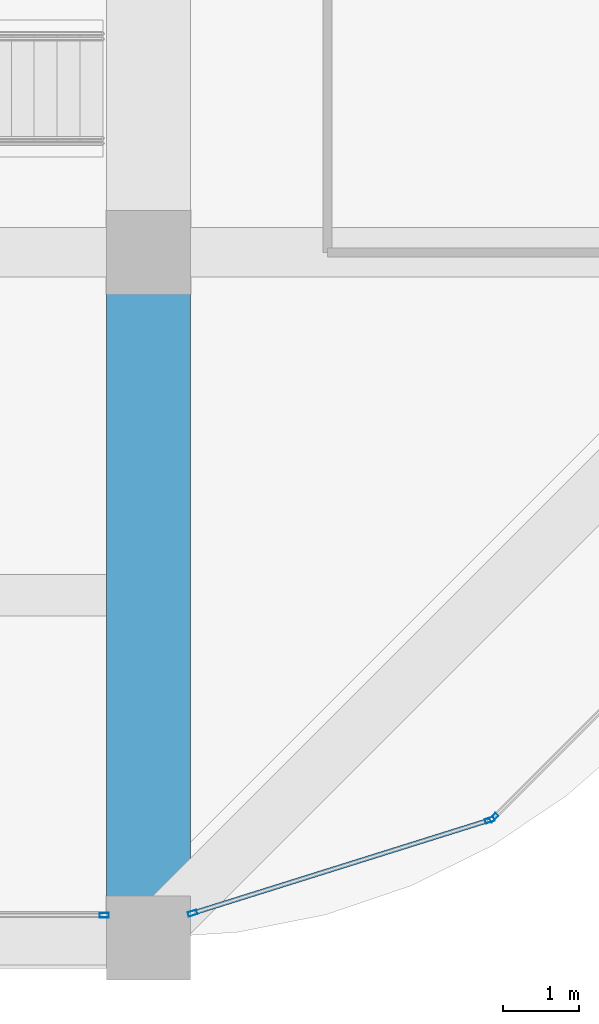
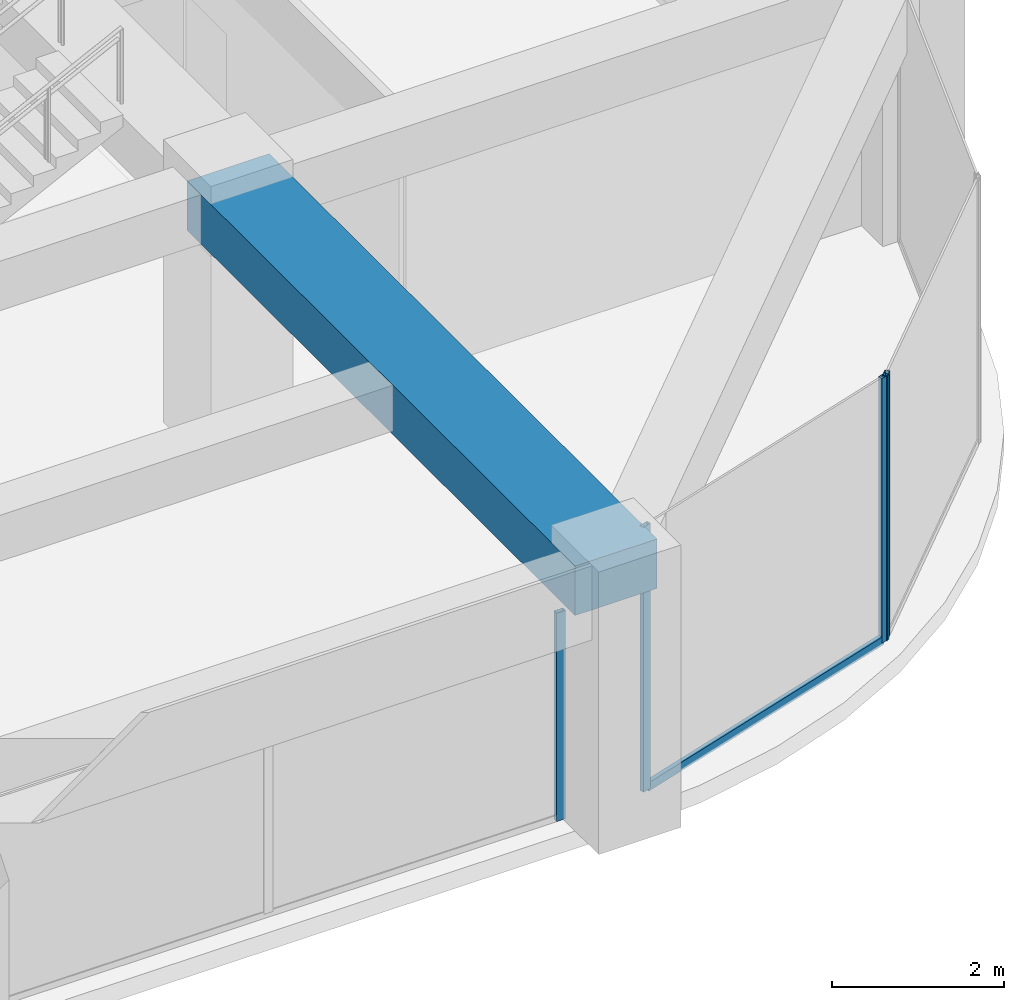
# One storey, part 18 of 44: 5 members, 1 beam, 3 elements without a shape of their own.
"""IFC4 building model written with IfcOpenShell, lengths in metres."""

import ifcopenshell
import ifcopenshell.guid

model = None  # the IFC model being written
_history = None  # IfcOwnerHistory: only IFC2X3 demands one
_inside = {}  # id of a spatial element -> (the spatial element, [elements in it])
_under = {}  # id of a project, library or spatial element -> (it, [spatial elements below it])
_declared = {}  # id of a project -> (the project, [libraries it declares])
_typed = {}  # id of a type object -> (the type object, [elements of that type])
_made_of = {}  # id of a material, layer set ... -> (it, [elements and type objects made of it])


def new_model(schema):
    """Start an empty IFC model of exactly this schema.

    Asked for "IFC4X3", IfcOpenShell would pick the latest addendum, in which some entities
    have other attributes; the version numbers below select the first issue.
    IFC2X3 requires an IfcOwnerHistory on every rooted entity: one is made here for all.
    """
    global model, _history
    if schema == "IFC4X3":
        model = ifcopenshell.file(schema_version=(4, 3, 0, 0))
    else:
        model = ifcopenshell.file(schema=schema)
    _inside.clear()
    _under.clear()
    _declared.clear()
    _typed.clear()
    _made_of.clear()
    _history = None
    if model.schema == "IFC2X3":
        org = make("IfcOrganization", Name="unknown")
        user = make(
            "IfcPersonAndOrganization",
            ThePerson=make("IfcPerson", FamilyName="unknown"),
            TheOrganization=org,
        )
        app = make(
            "IfcApplication",
            ApplicationDeveloper=org,
            Version="unknown",
            ApplicationFullName="unknown",
            ApplicationIdentifier="unknown",
        )
        _history = make(
            "IfcOwnerHistory",
            OwningUser=user,
            OwningApplication=app,
            ChangeAction="ADDED",
            CreationDate=0,
        )
    return model


def make(cls, **values):
    """One entity of the class cls with the attributes given. An attribute that is None is left unset."""
    return model.create_entity(
        cls, **{name: value for name, value in values.items() if value is not None}
    )


def rooted(cls, **values):
    """An entity with a GlobalId (a new one), such as an element, a storey or a relation."""
    return make(cls, GlobalId=ifcopenshell.guid.new(), OwnerHistory=_history, **values)


def si_unit(unit_type, name, prefix=None):
    """IfcSIUnit, for example si_unit("LENGTHUNIT", "METRE", prefix="MILLI")."""
    return make("IfcSIUnit", UnitType=unit_type, Prefix=prefix, Name=name)


def assignment(units):
    """IfcUnitAssignment: the units of a project."""
    return None if units is None else make("IfcUnitAssignment", Units=units)


def point(xyz):
    """IfcCartesianPoint."""
    return None if xyz is None else make("IfcCartesianPoint", Coordinates=xyz)


def direction(xyz):
    """IfcDirection."""
    return None if xyz is None else make("IfcDirection", DirectionRatios=xyz)


def frame(location, z_axis=None, x_axis=None):
    """IfcAxis2Placement3D, a coordinate frame: its origin and axes. An axis left out is left unset."""
    return make(
        "IfcAxis2Placement3D",
        Location=point(location),
        Axis=direction(z_axis),
        RefDirection=direction(x_axis),
    )


def frame_2d(location, x_axis=None):
    """IfcAxis2Placement2D, a coordinate frame in the plane: its origin and x axis."""
    return make(
        "IfcAxis2Placement2D", Location=point(location), RefDirection=direction(x_axis)
    )


def origin():
    """The frame at (0, 0, 0) with its axes left unset."""
    return frame((0.0, 0.0, 0.0))


def origin_2d():
    """The frame at (0, 0) in the plane with its x axis left unset."""
    return frame_2d((0.0, 0.0))


def place(relative_to, where):
    """IfcLocalPlacement: puts the frame where relative to a parent placement (None: the world)."""
    return make(
        "IfcLocalPlacement", PlacementRelTo=relative_to, RelativePlacement=where
    )


def context(
    kind, dimensions, precision=None, world=None, true_north=None, identifier=None
):
    """IfcGeometricRepresentationContext, for example the 3D "Model" context."""
    return make(
        "IfcGeometricRepresentationContext",
        ContextIdentifier=identifier,
        ContextType=kind,
        CoordinateSpaceDimension=dimensions,
        Precision=precision,
        WorldCoordinateSystem=world,
        TrueNorth=true_north,
    )


def subcontext(parent, identifier, kind, view, scale=None):
    """IfcGeometricRepresentationSubContext, for example "Body" below "Model"."""
    return make(
        "IfcGeometricRepresentationSubContext",
        ContextIdentifier=identifier,
        ContextType=kind,
        ParentContext=parent,
        TargetScale=scale,
        TargetView=view,
    )


def project(units=None, contexts=None):
    """IfcProject with its units and contexts."""
    return rooted(
        "IfcProject",
        Name="project",
        RepresentationContexts=contexts,
        UnitsInContext=assignment(units),
    )


def spatial(cls, under=None, at=None, **own):
    """A site, building, storey or space (cls), placed at a placement, below another one or the project."""
    s = rooted(cls, ObjectPlacement=at, **own)
    if under is not None:
        _under.setdefault(under.id(), (under, []))[1].append(s)
    return s


def profile(cls, at=None, kind="AREA", **sizes):
    """A parametric profile (cls). Its sizes go by their IFC names, for example OverallWidth=200.0."""
    return make(cls, ProfileType=kind, Position=at, **sizes)


def rectangle(**sizes):
    """IfcRectangleProfileDef."""
    return profile("IfcRectangleProfileDef", **sizes)


def hollow_rectangle(**sizes):
    """IfcRectangleHollowProfileDef."""
    return profile("IfcRectangleHollowProfileDef", **sizes)


def extrude(swept, where, along, depth):
    """IfcExtrudedAreaSolid: the profile swept, set in the frame where, extruded along a direction by depth."""
    return make(
        "IfcExtrudedAreaSolid",
        SweptArea=swept,
        Position=where,
        ExtrudedDirection=direction(along),
        Depth=depth,
    )


def shape(context_of_items, identifier, shape_type, items):
    """IfcShapeRepresentation: the items that make up one representation, for example the "Body"."""
    return make(
        "IfcShapeRepresentation",
        ContextOfItems=context_of_items,
        RepresentationIdentifier=identifier,
        RepresentationType=shape_type,
        Items=items,
    )


def material(Name=None, Category=None):
    """IfcMaterial."""
    return make("IfcMaterial", Name=Name, Category=Category)


def material_profile(
    of_material, cross_section, Name=None, Category=None, Priority=None
):
    """IfcMaterialProfile: a cross section and its material."""
    return make(
        "IfcMaterialProfile",
        Name=Name,
        Material=of_material,
        Profile=cross_section,
        Priority=Priority,
        Category=Category,
    )


def profile_set(profiles, Name=None, composite=None):
    """IfcMaterialProfileSet."""
    return make(
        "IfcMaterialProfileSet",
        Name=Name,
        MaterialProfiles=profiles,
        CompositeProfile=composite,
    )


def made_of(thing, what):
    """Note that an element or type object is made of a material, layer set ...; save() writes the relation."""
    if what is not None:
        _made_of.setdefault(what.id(), (what, []))[1].append(thing)
    return thing


def type_object(cls, material=None, **own):
    """A type object (cls), such as IfcWallType, which elements share."""
    return made_of(rooted(cls, **own), material)


def element(
    cls,
    number,
    at=None,
    inside=None,
    cuts=None,
    type_object=None,
    material=None,
    context=None,
    identifier="Body",
    shape_type=None,
    held_by="IfcProductDefinitionShape",
    body=None,
    shapes=None,
    **own,
):
    """One element of the class cls, such as IfcWall. Its Tag is "e" and its number.

    at: its placement. inside: the storey or other place that contains it. cuts: it is an
    opening in that element (IfcRelVoidsElement). A single representation is given by context,
    identifier, shape_type and body (its items); several are given by shapes. held_by: the class
    of the entity that holds the representations. save() writes the other relations.
    """
    e = rooted(cls, Tag="e%d" % number, ObjectPlacement=at, **own)
    if body is not None:
        shapes = [shape(context, identifier, shape_type, body)]
    if shapes is not None:
        e.Representation = make(held_by, Representations=shapes)
    if inside is not None:
        _inside.setdefault(inside.id(), (inside, []))[1].append(e)
    if cuts is not None:
        rooted(
            "IfcRelVoidsElement", RelatingBuildingElement=cuts, RelatedOpeningElement=e
        )
    if type_object is not None:
        _typed.setdefault(type_object.id(), (type_object, []))[1].append(e)
    return made_of(e, material)


def aggregate(whole, parts):
    """IfcRelAggregates: a whole, such as a stair, and the parts it consists of."""
    return rooted("IfcRelAggregates", RelatingObject=whole, RelatedObjects=parts)


def save(model, path):
    """Write the relations noted so far, then the file.

    IfcRelAggregates (storeys below a building ...), IfcRelContainedInSpatialStructure (elements
    in a storey), IfcRelDefinesByType, IfcRelAssociatesMaterial and IfcRelDeclares: one each for
    every whole, place, type object, material and project.
    """
    for whole, parts in _under.values():
        aggregate(whole, parts)
    for where, things in _inside.values():
        rooted(
            "IfcRelContainedInSpatialStructure",
            RelatedElements=things,
            RelatingStructure=where,
        )
    for kind, things in _typed.values():
        rooted("IfcRelDefinesByType", RelatedObjects=things, RelatingType=kind)
    for what, things in _made_of.values():
        rooted("IfcRelAssociatesMaterial", RelatedObjects=things, RelatingMaterial=what)
    for by, libraries in _declared.values():
        rooted("IfcRelDeclares", RelatingContext=by, RelatedDefinitions=libraries)
    model.write(path)


model = new_model("IFC4")

# Units and contexts
model_context = context("Model", 3, precision=1e-05, world=origin(), true_north=direction((0.0, 1.0)))
body_context = subcontext(model_context, "Body", "Model", "MODEL_VIEW")
ifc_project = project(units=[si_unit("LENGTHUNIT", "METRE"), si_unit("AREAUNIT", "SQUARE_METRE"), si_unit("VOLUMEUNIT", "CUBIC_METRE"), si_unit("PLANEANGLEUNIT", "RADIAN"), si_unit("MASSUNIT", "GRAM", prefix="KILO")], contexts=[model_context])

# Site, building, storey
site_placement = place(None, origin())
site = spatial("IfcSite", under=ifc_project, at=site_placement, CompositionType="ELEMENT")
building_placement = place(site_placement, origin())
building = spatial("IfcBuilding", under=site, at=building_placement, Name="Zorevar Civic Tower", CompositionType="ELEMENT")
storey_placement = place(building_placement, frame((0.0, 0.0, 251.39990234375)))
storey = spatial("IfcBuildingStorey", under=building, at=storey_placement, Name="L61", CompositionType="ELEMENT", Elevation=251.39990234375)

# Beam
ifc_material_1 = material(Name="Concrete C50/60", Category="concrete")
ifc_material_profile_1 = material_profile(ifc_material_1, rectangle(XDim=1.10009765625, YDim=0.699951171875, at=origin_2d()), Name="RC 1100x700")
ifc_profile_set_1 = profile_set([ifc_material_profile_1], Name="Concrete C50/60")
beam_type = type_object("IfcBeamType", Name="Beam RC 1100x700", PredefinedType="BEAM", material=ifc_profile_set_1)
beam_placement = place(storey_placement, frame((45.0, 0.0, 3.400146484375), z_axis=(0.0, 1.0, 0.0), x_axis=(-1.0, 0.0, 0.0)))
element("IfcBeam", 1, at=beam_placement, inside=storey, type_object=beam_type, Name="Girder L62", PredefinedType="BEAM", context=body_context, shape_type="SweptSolid", body=[
    extrude(rectangle(XDim=1.10009765625, YDim=0.699951171875, at=origin_2d()), origin(), (0.0, 0.0, 1.0), 9.0),
])

# Curtain wall, member
ifc_material_2 = material(Name="Dark grey solar-control glass in black aluminium frame", Category="aluminium")
curtain_wall_type = type_object("IfcCurtainWallType", Name="Curtain wall CW5 top zone", PredefinedType="NOTDEFINED", material=ifc_material_2)
curtain_wall_1_placement = place(storey_placement, origin())
curtain_wall_1 = element("IfcCurtainWall", 2, at=curtain_wall_1_placement, inside=storey, type_object=curtain_wall_type, Name="CW5 L61", PredefinedType="NOTDEFINED")
ifc_material_3 = material(Name="Aluminium, black anodised", Category="aluminium")
ifc_material_profile_2 = material_profile(ifc_material_3, hollow_rectangle(XDim=0.06005859375, YDim=0.1201171875, WallThickness=0.0029296875, at=origin_2d()), Name="AL 120x60x3")
ifc_profile_set_2 = profile_set([ifc_material_profile_2], Name="Aluminium, black anodised")
member_type_1 = type_object("IfcMemberType", Name="CW5 mullion AL 120x60x3", PredefinedType="MULLION", material=ifc_profile_set_2)
member_1_placement = place(storey_placement, frame((44.419921875, 0.300048828125, 0.0), z_axis=(0.0, 0.0, 1.0), x_axis=(0.0, 1.0, 0.0)))
member_1 = element("IfcMember", 3, at=member_1_placement, type_object=member_type_1, Name="CW5 mullion 3", PredefinedType="MULLION", context=body_context, shape_type="SweptSolid", body=[
    extrude(hollow_rectangle(XDim=0.06005859375, YDim=0.1201171875, WallThickness=0.0029296875, at=origin_2d()), origin(), (0.0, 0.0, 1.0), 2.9501953125),
])
aggregate(curtain_wall_1, [member_1])

# Curtain wall, members
curtain_wall_2_placement = place(storey_placement, origin())
curtain_wall_2 = element("IfcCurtainWall", 4, at=curtain_wall_2_placement, inside=storey, type_object=curtain_wall_type, Name="CW5 L61", PredefinedType="NOTDEFINED")
member_2_placement = place(storey_placement, frame((45.57861328125, 0.326416015625, 0.0), z_axis=(0.0, 0.0, 1.0), x_axis=(-0.299317920238, 0.954153437674, 0.0)))
member_2 = element("IfcMember", 5, at=member_2_placement, type_object=member_type_1, Name="CW5 mullion 1", PredefinedType="MULLION", context=body_context, shape_type="SweptSolid", body=[
    extrude(hollow_rectangle(XDim=0.06005859375, YDim=0.1201171875, WallThickness=0.0029296875, at=origin_2d()), origin(), (0.0, 0.0, 1.0), 3.75),
])
member_3_placement = place(storey_placement, frame((49.479248046875, 1.550048828125, 0.0), z_axis=(0.0, 0.0, 1.0), x_axis=(-0.299317920238, 0.954153437674, 0.0)))
member_3 = element("IfcMember", 6, at=member_3_placement, type_object=member_type_1, Name="CW5 mullion 2", PredefinedType="MULLION", context=body_context, shape_type="SweptSolid", body=[
    extrude(hollow_rectangle(XDim=0.06005859375, YDim=0.1201171875, WallThickness=0.0029296875, at=origin_2d()), origin(), (0.0, 0.0, 1.0), 3.75),
])

# Curtain wall, member
curtain_wall_3_placement = place(storey_placement, origin())
curtain_wall_3 = element("IfcCurtainWall", 7, at=curtain_wall_3_placement, inside=storey, type_object=curtain_wall_type, Name="CW5 L61", PredefinedType="NOTDEFINED")
member_4_placement = place(storey_placement, frame((49.529052734375, 1.580322265625, 0.0), z_axis=(0.0, 0.0, 1.0), x_axis=(-0.707106781187, 0.707106781187, 0.0)))
member_4 = element("IfcMember", 8, at=member_4_placement, type_object=member_type_1, Name="CW5 mullion 1", PredefinedType="MULLION", context=body_context, shape_type="SweptSolid", body=[
    extrude(hollow_rectangle(XDim=0.06005859375, YDim=0.1201171875, WallThickness=0.0029296875, at=origin_2d()), origin(), (0.0, 0.0, 1.0), 3.75),
])
aggregate(curtain_wall_3, [member_4])

# Member
ifc_material_4 = material(Name="Aluminium, black anodised", Category="aluminium")
ifc_material_profile_3 = material_profile(ifc_material_4, hollow_rectangle(XDim=0.06005859375, YDim=0.1201171875, WallThickness=0.0029296875, at=origin_2d()), Name="AL 120x60x3")
ifc_profile_set_3 = profile_set([ifc_material_profile_3], Name="Aluminium, black anodised")
member_type_2 = type_object("IfcMemberType", Name="CW5 transom AL 120x60x3", PredefinedType="USERDEFINED", material=ifc_profile_set_3)
member_5_placement = place(storey_placement, frame((45.607177734375, 0.33544921875, 0.030029296875), z_axis=(0.954163457351, 0.299285978047, 0.0), x_axis=(-0.299285978047, 0.954163457351, 0.0)))
member_5 = element("IfcMember", 9, at=member_5_placement, type_object=member_type_2, Name="CW5 sill transom", ObjectType="TRANSOM", PredefinedType="USERDEFINED", context=body_context, shape_type="SweptSolid", body=[
    extrude(hollow_rectangle(XDim=0.06005859375, YDim=0.1201171875, WallThickness=0.0029296875, at=origin_2d()), origin(), (0.0, 0.0, 1.0), 4.028076171875),
])

aggregate(curtain_wall_2, [member_2, member_3, member_5])

save(model, "model.ifc")
